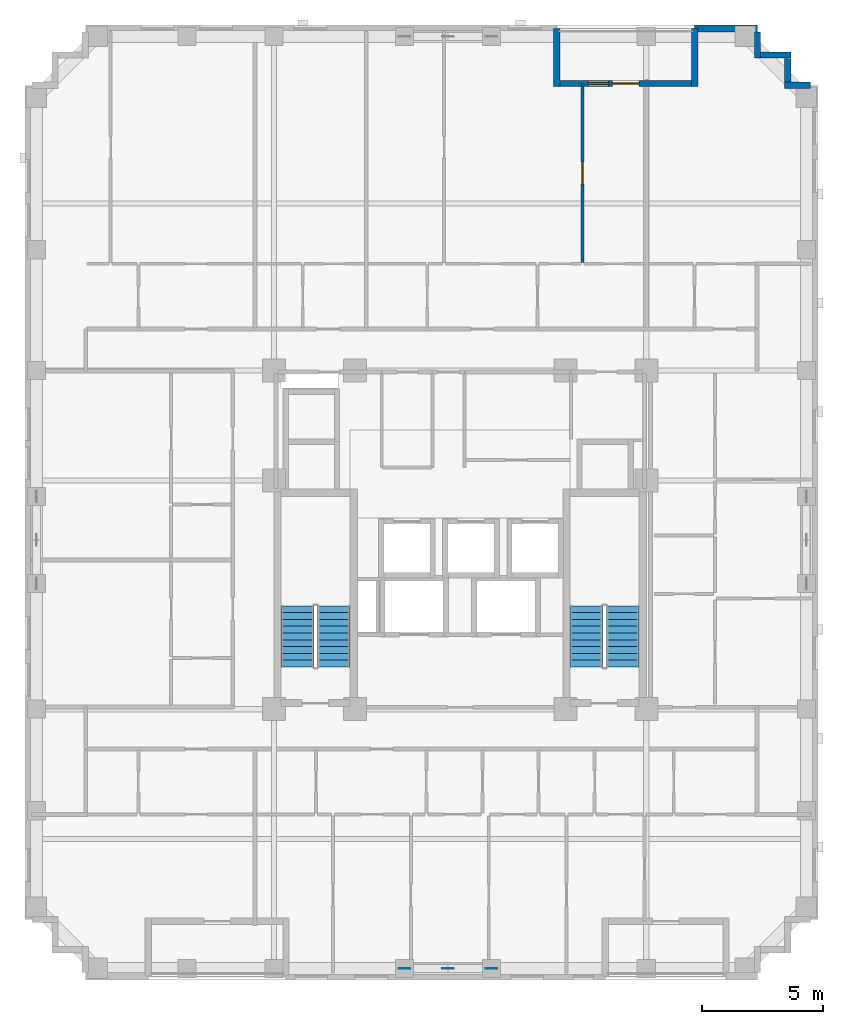
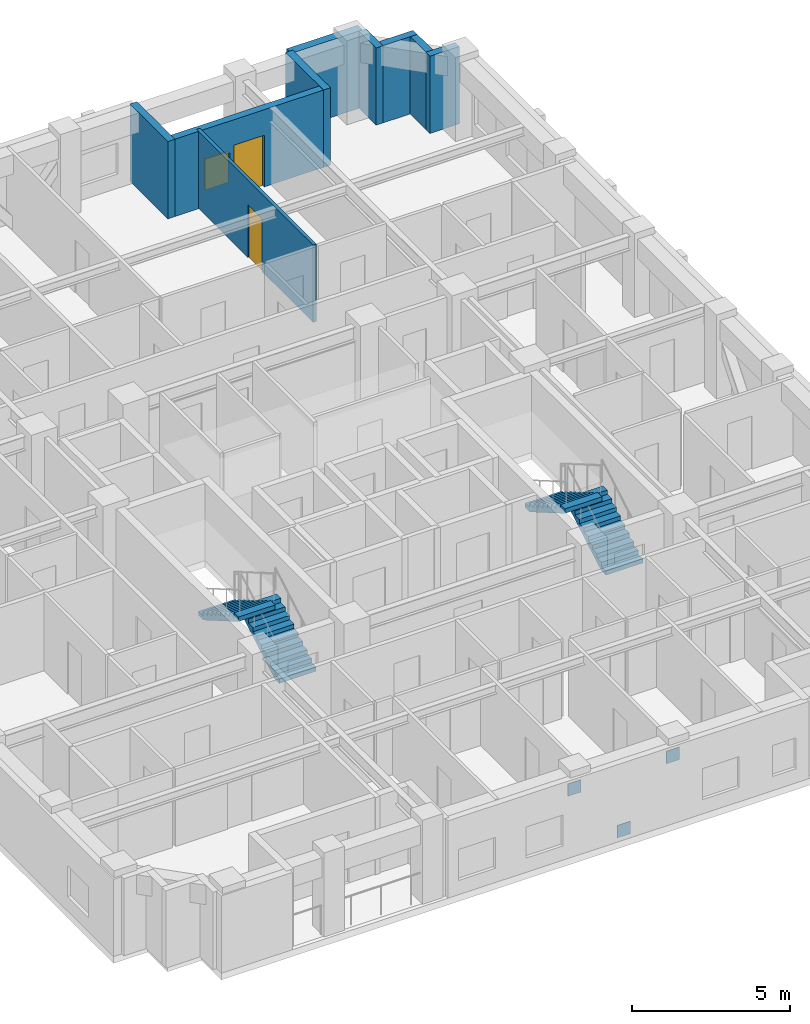
# One storey, part 8 of 11: 9 walls, 4 stair flights, 3 discrete accessories, 2 doors, 1 window, 3 openings, 2 elements without a shape of their own.
"""IFC4 building model written with IfcOpenShell, lengths in metres."""

from ifc_helpers import new_model, si_unit, derived_unit, direction, frame, frame_2d, origin, origin_2d, place, context, subcontext, project, spatial, polyline, rectangle, outline, extrude, material, layer, layer_set, type_object, element, fill, aggregate, save


model = new_model("IFC4")

# Units and contexts
model_context = context("Model", 3, precision=1e-05, world=origin(), true_north=direction((0.0, 1.0)))
body_context = subcontext(model_context, "Body", "Model", "MODEL_VIEW")
ifc_project = project(units=[si_unit("LENGTHUNIT", "METRE"), si_unit("AREAUNIT", "SQUARE_METRE"), si_unit("VOLUMEUNIT", "CUBIC_METRE"), si_unit("PLANEANGLEUNIT", "RADIAN"), si_unit("MASSUNIT", "GRAM", prefix="KILO"), derived_unit("THERMALTRANSMITTANCEUNIT", [(si_unit("MASSUNIT", "GRAM", prefix="KILO"), 1), (si_unit("TIMEUNIT", "SECOND"), -3), (si_unit("THERMODYNAMICTEMPERATUREUNIT", "KELVIN"), -1)])], contexts=[model_context])

# Site, building, storey
site_placement = place(None, origin())
site = spatial("IfcSite", under=ifc_project, at=site_placement, CompositionType="ELEMENT")
building_placement = place(site_placement, origin())
building = spatial("IfcBuilding", under=site, at=building_placement, Name="Korrvale Station Residences", CompositionType="ELEMENT")
storey_placement = place(building_placement, frame((0.0, 0.0, 143.89990234375)))
storey = spatial("IfcBuildingStorey", under=building, at=storey_placement, Name="L41", CompositionType="ELEMENT", Elevation=143.89990234375)

# Wall
ifc_material_1 = material(Name="Precast concrete C45/55", Category="concrete")
ifc_layer_1 = layer(ifc_material_1, 0.260009765625, Name="Precast concrete C45/55")
ifc_layer_set_1 = layer_set([ifc_layer_1], Name="Precast concrete C45/55")
wall_type_1 = type_object("IfcWallType", Name="WAL-EXT-LOG260", PredefinedType="SOLIDWALL", material=ifc_layer_set_1)
wall_1_placement = place(storey_placement, frame((29.5, 43.139892578125, 0.0), z_axis=(0.0, 0.0, 1.0), x_axis=(0.0, -1.0, 0.0)))
element("IfcWall", 1, at=wall_1_placement, inside=storey, type_object=wall_type_1, Name="L41 Recessed Loggia Wall BAL-L41-N1-L", PredefinedType="SOLIDWALL", context=body_context, shape_type="SweptSolid", body=[
    extrude(rectangle(XDim=2.39990234375, YDim=0.260009765625, at=frame_2d((1.199951171875, 0.0))), origin(), (0.0, 0.0, 1.0), 2.989990234375),
])

# Wall, openings, door, window
wall_2_placement = place(storey_placement, frame((29.634033203125, 40.8701171875, 0.0), z_axis=(0.0, 0.0, 1.0), x_axis=(1.0, 0.0, 0.0)))
wall_2 = element("IfcWall", 2, at=wall_2_placement, inside=storey, type_object=wall_type_1, Name="L41 Recessed Loggia Wall BAL-L41-N1-B", PredefinedType="SOLIDWALL", context=body_context, shape_type="SweptSolid", body=[
    extrude(rectangle(XDim=5.431884765625, YDim=0.260009765625, at=frame_2d((2.7158203125, 0.0))), origin(), (0.0, 0.0, 1.0), 2.989990234375),
])
opening_1_placement = place(wall_2_placement, frame((2.166015625, 0.0, 0.0)))
opening_1 = element("IfcOpeningElement", 3, at=opening_1_placement, cuts=wall_2, Name="Opening BD-01", PredefinedType="OPENING", context=body_context, shape_type="SweptSolid", body=[
    extrude(rectangle(XDim=1.10009765625, YDim=2.0, at=frame_2d((0.550048828125, 1.0))), frame((0.0, 0.14013671875, 0.0), z_axis=(0.0, -1.0, 0.0), x_axis=(1.0, 0.0, 0.0)), (0.0, 0.0, 1.0), 0.280029296875),
])
opening_2_placement = place(wall_2_placement, frame((1.156005859375, 0.0, 0.550048828125)))
opening_2 = element("IfcOpeningElement", 4, at=opening_2_placement, cuts=wall_2, Name="Opening W-11", PredefinedType="OPENING", context=body_context, shape_type="SweptSolid", body=[
    extrude(rectangle(XDim=0.85009765625, YDim=1.199951171875, at=frame_2d((0.425048828125, 0.60009765625))), frame((0.0, 0.14013671875, 0.0), z_axis=(0.0, -1.0, 0.0), x_axis=(1.0, 0.0, 0.0)), (0.0, 0.0, 1.0), 0.280029296875),
])
ifc_material_2 = material(Name="Exterior thermally broken aluminium glazed balcony door", Category="aluminium")
door_type_1 = type_object("IfcDoorType", Name="DR-EXT-BAL", OperationType="NOTDEFINED", PredefinedType="DOOR", material=ifc_material_2)
door_1_placement = place(opening_1_placement, origin())
door_1 = element("IfcDoor", 5, at=door_1_placement, inside=storey, type_object=door_type_1, Name="L41 Loggia Balcony Door BAL-L41-N1", OperationType="SINGLE_SWING_LEFT", OverallHeight=2.0, OverallWidth=1.10009765625, PredefinedType="DOOR", context=body_context, shape_type="SweptSolid", body=[
    extrude(rectangle(XDim=1.10009765625, YDim=2.0, at=frame_2d((0.550048828125, 1.0))), frame((0.0, 0.02490234375, 0.0), z_axis=(0.0, -1.0, 0.0), x_axis=(1.0, 0.0, 0.0)), (0.0, 0.0, 1.0), 0.050048828125),
])
fill(opening_1, door_1)
ifc_material_3 = material(Name="Thermally broken aluminium frame with triple low-e glazing", Category="aluminium")
window_type = type_object("IfcWindowType", Name="WIN-W11", PartitioningType="SINGLE_PANEL", PredefinedType="WINDOW", material=ifc_material_3)
window_placement = place(opening_2_placement, origin())
window = element("IfcWindow", 6, at=window_placement, inside=storey, type_object=window_type, Name="L41 Punched Window 13", OverallHeight=1.199951171875, OverallWidth=0.85009765625, PartitioningType="SINGLE_PANEL", PredefinedType="WINDOW", context=body_context, shape_type="SweptSolid", body=[
    extrude(rectangle(XDim=0.85009765625, YDim=1.199951171875, at=frame_2d((0.425048828125, 0.60009765625))), frame((0.0, 0.030029296875, 0.0), z_axis=(0.0, -1.0, 0.0), x_axis=(1.0, 0.0, 0.0)), (0.0, 0.0, 1.0), 0.06005859375),
])
fill(opening_2, window)

# Walls
wall_3_placement = place(storey_placement, frame((35.199951171875, 40.739990234375, 0.0), z_axis=(0.0, 0.0, 1.0), x_axis=(0.0, 1.0, 0.0)))
element("IfcWall", 7, at=wall_3_placement, inside=storey, type_object=wall_type_1, Name="L41 Recessed Loggia Wall BAL-L41-N1-R", PredefinedType="SOLIDWALL", context=body_context, shape_type="SweptSolid", body=[
    extrude(rectangle(XDim=2.39990234375, YDim=0.260009765625, at=frame_2d((1.199951171875, 0.0))), origin(), (0.0, 0.0, 1.0), 2.989990234375),
])
wall_4_placement = place(storey_placement, frame((37.800048828125, 42.998046875, 0.0), z_axis=(0.0, 0.0, 1.0), x_axis=(0.0, -1.0, 0.0)))
element("IfcWall", 8, at=wall_4_placement, inside=storey, type_object=wall_type_1, Name="L41 Serrated Corner Precast Step NE-1", PredefinedType="SOLIDWALL", context=body_context, shape_type="SweptSolid", body=[
    extrude(rectangle(XDim=1.078125, YDim=0.260009765625, at=frame_2d((0.5390625, 0.0))), origin(), (0.0, 0.0, 1.0), 2.989990234375),
])
wall_5_placement = place(storey_placement, frame((37.931884765625, 42.050048828125, 0.0), z_axis=(0.0, 0.0, 1.0), x_axis=(1.0, 0.0, 0.0)))
element("IfcWall", 9, at=wall_5_placement, inside=storey, type_object=wall_type_1, Name="L41 Serrated Corner Precast Step NE-2", PredefinedType="SOLIDWALL", context=body_context, shape_type="SweptSolid", body=[
    extrude(rectangle(XDim=1.248046875, YDim=0.260009765625, at=frame_2d((0.6240234375, 0.0))), origin(), (0.0, 0.0, 1.0), 2.989990234375),
])
wall_6_placement = place(storey_placement, frame((39.050048828125, 41.91796875, 0.0), z_axis=(0.0, 0.0, 1.0), x_axis=(0.0, -1.0, 0.0)))
element("IfcWall", 10, at=wall_6_placement, inside=storey, type_object=wall_type_1, Name="L41 Serrated Corner Precast Step NE-3", PredefinedType="SOLIDWALL", context=body_context, shape_type="SweptSolid", body=[
    extrude(rectangle(XDim=0.986083984375, YDim=0.260009765625, at=frame_2d((0.4931640625, 0.0))), origin(), (0.0, 0.0, 1.0), 2.989990234375),
])
wall_7_placement = place(storey_placement, frame((38.919921875, 40.800048828125, 0.0), z_axis=(0.0, 0.0, 1.0), x_axis=(1.0, 0.0, 0.0)))
element("IfcWall", 11, at=wall_7_placement, inside=storey, type_object=wall_type_1, Name="L41 Serrated Corner Precast Step NE-4", PredefinedType="SOLIDWALL", context=body_context, shape_type="SweptSolid", body=[
    extrude(rectangle(XDim=1.078125, YDim=0.260009765625, at=frame_2d((0.5390625, 0.0))), origin(), (0.0, 0.0, 1.0), 2.989990234375),
])
ifc_layer_2 = layer(ifc_material_1, 0.300048828125, Name="Precast concrete C45/55")
ifc_layer_set_2 = layer_set([ifc_layer_2], Name="Precast concrete C45/55")
wall_type_2 = type_object("IfcWallType", Name="WAL-EXT-PC300", PredefinedType="SOLIDWALL", material=ifc_layer_set_2)
wall_8_placement = place(storey_placement, frame((35.199951171875, 43.14990234375, 0.0), z_axis=(0.0, 0.0, 1.0), x_axis=(1.0, 0.0, 0.0)))
element("IfcWall", 12, at=wall_8_placement, inside=storey, type_object=wall_type_2, Name="L41 North Exterior Precast Wall 2", PredefinedType="SOLIDWALL", context=body_context, shape_type="SweptSolid", body=[
    extrude(rectangle(XDim=2.60009765625, YDim=0.300048828125, at=frame_2d((1.300048828125, 0.0))), origin(), (0.0, 0.0, 1.0), 2.989990234375),
])

# Wall, opening, door
ifc_material_4 = material(Name="Acoustic steel-stud gypsum board partition", Category="steel")
ifc_layer_3 = layer(ifc_material_4, 0.1201171875, Name="Acoustic steel-stud gypsum board partition")
ifc_layer_set_3 = layer_set([ifc_layer_3], Name="Acoustic steel-stud gypsum board partition")
wall_type_3 = type_object("IfcWallType", Name="WAL-PART-125", PredefinedType="PARTITIONING", material=ifc_layer_set_3)
wall_9_placement = place(storey_placement, frame((30.56005859375, 33.47998046875, 0.0), z_axis=(0.0, 0.0, 1.0), x_axis=(0.0, 1.0, 0.0)))
wall_9 = element("IfcWall", 13, at=wall_9_placement, inside=storey, type_object=wall_type_3, Name="L41 Suite Partition U05-V45", PredefinedType="PARTITIONING", context=body_context, shape_type="SweptSolid", body=[
    extrude(rectangle(XDim=7.39013671875, YDim=0.1201171875, at=frame_2d((3.695068359375, 0.0))), origin(), (0.0, 0.0, 1.0), 2.989990234375),
])
opening_3_placement = place(wall_9_placement, frame((3.2451171875, 0.0, 0.0)))
opening_3 = element("IfcOpeningElement", 14, at=opening_3_placement, cuts=wall_9, Name="Opening DI-900", PredefinedType="OPENING", context=body_context, shape_type="SweptSolid", body=[
    extrude(rectangle(XDim=0.89990234375, YDim=2.050048828125, at=frame_2d((0.449951171875, 1.02490234375))), frame((0.0, 0.070068359375, 0.0), z_axis=(0.0, -1.0, 0.0), x_axis=(1.0, 0.0, 0.0)), (0.0, 0.0, 1.0), 0.14013671875),
])
ifc_material_5 = material(Name="Painted solid-core timber interior room door", Category="wood")
door_type_2 = type_object("IfcDoorType", Name="DR-INT-900", OperationType="NOTDEFINED", PredefinedType="DOOR", material=ifc_material_5)
door_2_placement = place(opening_3_placement, origin())
door_2 = element("IfcDoor", 15, at=door_2_placement, inside=storey, type_object=door_type_2, Name="L41 Studio Apartment L41-U05 Studio Living Room Door", OperationType="SINGLE_SWING_LEFT", OverallHeight=2.050048828125, OverallWidth=0.89990234375, PredefinedType="DOOR", context=body_context, shape_type="SweptSolid", body=[
    extrude(rectangle(XDim=0.89990234375, YDim=2.050048828125, at=frame_2d((0.449951171875, 1.02490234375))), frame((0.0, 0.02490234375, 0.0), z_axis=(0.0, -1.0, 0.0), x_axis=(1.0, 0.0, 0.0)), (0.0, 0.0, 1.0), 0.050048828125),
])
fill(opening_3, door_2)

# Stair, stair flights
ifc_material_6 = material(Name="Concrete C50/60", Category="concrete")
stair_type = type_object("IfcStairType", Name="STR-DL-1350-20R-1625", PredefinedType="HALF_TURN_STAIR", material=ifc_material_6)
stair_1_placement = place(storey_placement, origin())
stair_1 = element("IfcStair", 16, at=stair_1_placement, inside=storey, type_object=stair_type, Name="L41 Exit Stair 1", PredefinedType="HALF_TURN_STAIR")
stair_flight_type = type_object("IfcStairFlightType", Name="FLT-DL-1350-20R-1625", PredefinedType="STRAIGHT", material=ifc_material_6)
stair_flight_1_placement = place(storey_placement, frame((20.27490234375, 16.75, 0.0), z_axis=(0.0, 0.0, 1.0), x_axis=(0.0, 1.0, 0.0)))
stair_flight_1 = element("IfcStairFlight", 17, at=stair_flight_1_placement, type_object=stair_flight_type, Name="ST-1 flight 1", NumberOfRisers=10, NumberOfTreads=9, PredefinedType="STRAIGHT", RiserHeight=0.1625, TreadLength=0.28, context=body_context, shape_type="SweptSolid", body=[
    extrude(outline(polyline([(0.0, 0.0), (0.0, 0.16259765625), (0.280029296875, 0.16259765625), (0.280029296875, 0.324951171875), (0.56005859375, 0.324951171875), (0.56005859375, 0.487548828125), (0.840087890625, 0.487548828125), (0.840087890625, 0.64990234375), (1.1201171875, 0.64990234375), (1.1201171875, 0.8125), (1.39990234375, 0.8125), (1.39990234375, 0.97509765625), (1.679931640625, 0.97509765625), (1.679931640625, 1.137451171875), (1.9599609375, 1.137451171875), (1.9599609375, 1.300048828125), (2.239990234375, 1.300048828125), (2.239990234375, 1.46240234375), (2.52001953125, 1.46240234375), (2.52001953125, 1.625), (2.52001953125, 1.2890625), (0.298583984375, 0.0), (0.0, 0.0)])), frame((0.0, 0.675048828125, 0.0), z_axis=(0.0, -1.0, 0.0), x_axis=(1.0, 0.0, 0.0)), (0.0, 0.0, 1.0), 1.35009765625),
])
stair_flight_2_placement = place(storey_placement, frame((18.77490234375, 19.27001953125, 1.625), z_axis=(0.0, 0.0, 1.0), x_axis=(0.0, -1.0, 0.0)))
stair_flight_2 = element("IfcStairFlight", 18, at=stair_flight_2_placement, type_object=stair_flight_type, Name="ST-1 flight 2", NumberOfRisers=10, NumberOfTreads=9, PredefinedType="STRAIGHT", RiserHeight=0.1625, TreadLength=0.28, context=body_context, shape_type="SweptSolid", body=[
    extrude(outline(polyline([(0.0, 0.0), (0.0, 0.16259765625), (0.280029296875, 0.16259765625), (0.280029296875, 0.324951171875), (0.56005859375, 0.324951171875), (0.56005859375, 0.487548828125), (0.840087890625, 0.487548828125), (0.840087890625, 0.64990234375), (1.1201171875, 0.64990234375), (1.1201171875, 0.8125), (1.39990234375, 0.8125), (1.39990234375, 0.97509765625), (1.679931640625, 0.97509765625), (1.679931640625, 1.137451171875), (1.9599609375, 1.137451171875), (1.9599609375, 1.300048828125), (2.239990234375, 1.300048828125), (2.239990234375, 1.46240234375), (2.52001953125, 1.46240234375), (2.52001953125, 1.625), (2.52001953125, 1.2890625), (0.298583984375, 0.0), (0.0, 0.0)])), frame((0.0, 0.675048828125, 0.0), z_axis=(0.0, -1.0, 0.0), x_axis=(1.0, 0.0, 0.0)), (0.0, 0.0, 1.0), 1.35009765625),
])
aggregate(stair_1, [stair_flight_1, stair_flight_2])

stair_2_placement = place(storey_placement, origin())
stair_2 = element("IfcStair", 19, at=stair_2_placement, inside=storey, type_object=stair_type, Name="L41 Exit Stair 2", PredefinedType="HALF_TURN_STAIR")
stair_flight_3_placement = place(storey_placement, frame((32.22509765625, 16.75, 0.0), z_axis=(0.0, 0.0, 1.0), x_axis=(0.0, 1.0, 0.0)))
stair_flight_3 = element("IfcStairFlight", 20, at=stair_flight_3_placement, type_object=stair_flight_type, Name="ST-2 flight 1", NumberOfRisers=10, NumberOfTreads=9, PredefinedType="STRAIGHT", RiserHeight=0.1625, TreadLength=0.28, context=body_context, shape_type="SweptSolid", body=[
    extrude(outline(polyline([(0.0, 0.0), (0.0, 0.16259765625), (0.280029296875, 0.16259765625), (0.280029296875, 0.324951171875), (0.56005859375, 0.324951171875), (0.56005859375, 0.487548828125), (0.840087890625, 0.487548828125), (0.840087890625, 0.64990234375), (1.1201171875, 0.64990234375), (1.1201171875, 0.8125), (1.39990234375, 0.8125), (1.39990234375, 0.97509765625), (1.679931640625, 0.97509765625), (1.679931640625, 1.137451171875), (1.9599609375, 1.137451171875), (1.9599609375, 1.300048828125), (2.239990234375, 1.300048828125), (2.239990234375, 1.46240234375), (2.52001953125, 1.46240234375), (2.52001953125, 1.625), (2.52001953125, 1.2890625), (0.298583984375, 0.0), (0.0, 0.0)])), frame((0.0, 0.675048828125, 0.0), z_axis=(0.0, -1.0, 0.0), x_axis=(1.0, 0.0, 0.0)), (0.0, 0.0, 1.0), 1.35009765625),
])
stair_flight_4_placement = place(storey_placement, frame((30.72509765625, 19.27001953125, 1.625), z_axis=(0.0, 0.0, 1.0), x_axis=(0.0, -1.0, 0.0)))
stair_flight_4 = element("IfcStairFlight", 21, at=stair_flight_4_placement, type_object=stair_flight_type, Name="ST-2 flight 2", NumberOfRisers=10, NumberOfTreads=9, PredefinedType="STRAIGHT", RiserHeight=0.1625, TreadLength=0.28, context=body_context, shape_type="SweptSolid", body=[
    extrude(outline(polyline([(0.0, 0.0), (0.0, 0.16259765625), (0.280029296875, 0.16259765625), (0.280029296875, 0.324951171875), (0.56005859375, 0.324951171875), (0.56005859375, 0.487548828125), (0.840087890625, 0.487548828125), (0.840087890625, 0.64990234375), (1.1201171875, 0.64990234375), (1.1201171875, 0.8125), (1.39990234375, 0.8125), (1.39990234375, 0.97509765625), (1.679931640625, 0.97509765625), (1.679931640625, 1.137451171875), (1.9599609375, 1.137451171875), (1.9599609375, 1.300048828125), (2.239990234375, 1.300048828125), (2.239990234375, 1.46240234375), (2.52001953125, 1.46240234375), (2.52001953125, 1.625), (2.52001953125, 1.2890625), (0.298583984375, 0.0), (0.0, 0.0)])), frame((0.0, 0.675048828125, 0.0), z_axis=(0.0, -1.0, 0.0), x_axis=(1.0, 0.0, 0.0)), (0.0, 0.0, 1.0), 1.35009765625),
])
aggregate(stair_2, [stair_flight_3, stair_flight_4])

# Discrete accessories
ifc_material_7 = material(Name="Steel S355", Category="steel")
ifc_layer_4 = layer(ifc_material_7, 0.02490234375, Name="Steel S355")
ifc_layer_set_4 = layer_set([ifc_layer_4], Name="Steel S355")
discrete_accessory_type = type_object("IfcDiscreteAccessoryType", Name="ACC-GUSSET-25", PredefinedType="BRACKET", material=ifc_layer_set_4)
for number, where, z_axis, x_axis, name in (
    (22, (25.0, 4.280029296875, -0.219970703125), (0.0, 0.0, 1.0), (1.0, 0.0, 0.0), "L41 S Brace End Gusset Connection M"),
    (23, (23.199951171875, 4.280029296875, 2.02001953125), (0.0, 0.0, 1.0), (1.0, 0.0, 0.0), "L41 S Brace End Gusset Connection A"),
    (24, (26.800048828125, 4.280029296875, 2.02001953125), (0.0, 0.0, 1.0), (1.0, 0.0, 0.0), "L41 S Brace End Gusset Connection B"),
):
    element("IfcDiscreteAccessory", number, at=place(storey_placement, frame(where, z_axis=z_axis, x_axis=x_axis)), inside=storey, type_object=discrete_accessory_type, Name=name, PredefinedType="BRACKET", context=body_context, shape_type="SweptSolid", body=[
        extrude(rectangle(XDim=0.47998046875, YDim=0.02490234375, at=origin_2d()), origin(), (0.0, 0.0, 1.0), 0.47998046875),
    ])

save(model, "model.ifc")
